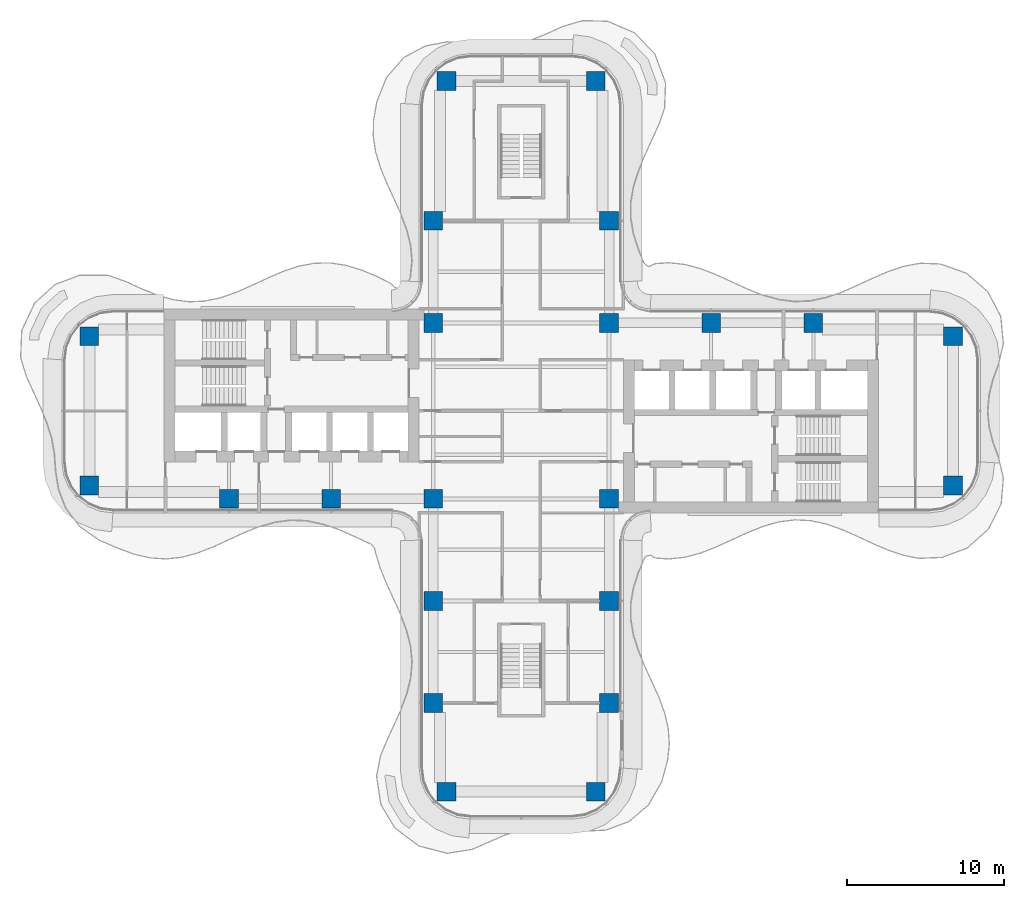
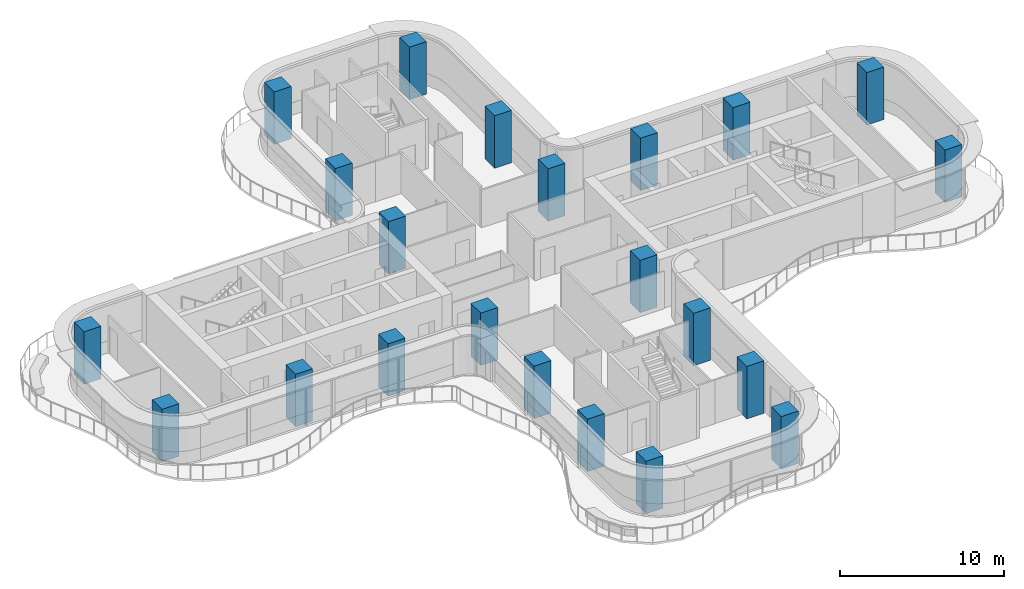
# One storey, part 1 of 18: 22 columns.
"""IFC4 building model written with IfcOpenShell, lengths in metres."""

from ifc_helpers import new_model, si_unit, direction, frame, origin, origin_2d, place, context, subcontext, project, spatial, rectangle, extrude, source, transform, mapped, material, material_profile, profile_set, type_object, element, save


model = new_model("IFC4")

# Units and contexts
model_context = context("Model", 3, precision=1e-05, world=origin(), true_north=direction((0.0, 1.0)))
body_context = subcontext(model_context, "Body", "Model", "MODEL_VIEW")
ifc_project = project(units=[si_unit("LENGTHUNIT", "METRE"), si_unit("AREAUNIT", "SQUARE_METRE"), si_unit("VOLUMEUNIT", "CUBIC_METRE"), si_unit("PLANEANGLEUNIT", "RADIAN"), si_unit("MASSUNIT", "GRAM", prefix="KILO")], contexts=[model_context])

# Site, building, storey
site_placement = place(None, origin())
site = spatial("IfcSite", under=ifc_project, at=site_placement, CompositionType="ELEMENT")
building_placement = place(site_placement, origin())
building = spatial("IfcBuilding", under=site, at=building_placement, Name="Trellis Farm Tower", CompositionType="ELEMENT")
storey_placement = place(building_placement, frame((0.0, 0.0, 201.0)))
storey = spatial("IfcBuildingStorey", under=building, at=storey_placement, Name="L44", CompositionType="ELEMENT", Elevation=201.0)

# Columns
ifc_material = material(Name="Concrete C70/85", Category="concrete")
ifc_material_profile = material_profile(ifc_material, rectangle(XDim=1.199951171875, YDim=1.199951171875, at=origin_2d()), Name="RC column 1200x1200 C70/85")
ifc_profile_set = profile_set([ifc_material_profile], Name="Concrete C70/85")
column_type = type_object("IfcColumnType", Name="RC column 1200x1200 C70/85", PredefinedType="COLUMN", material=ifc_profile_set)
shared_shape = source(origin(), body_context, "Body", "SweptSolid", [
    extrude(rectangle(XDim=1.199951171875, YDim=1.199951171875, at=origin_2d()), origin(), (0.0, 0.0, 1.0), 3.89990234375),
])
for number, where, z_axis, x_axis, name in (
    (1, (12.10009765625, 5.60009765625, 0.0), (0.0, 0.0, 1.0), (1.0, 0.0, 0.0), "Column"),
    (2, (18.60009765625, 5.60009765625, 0.0), (0.0, 0.0, 1.0), (1.0, 0.0, 0.0), "Column"),
    (3, (27.5, 4.75, 0.0), (0.0, 0.0, 1.0), (1.0, 0.0, 0.0), "Column"),
    (4, (27.5, -4.75, 0.0), (0.0, 0.0, 1.0), (1.0, 0.0, 0.0), "Column"),
    (5, (-5.60009765625, 12.10009765625, 0.0), (0.0, 0.0, 1.0), (1.0, 0.0, 0.0), "Column"),
    (6, (-4.75, 21.0, 0.0), (0.0, 0.0, 1.0), (1.0, 0.0, 0.0), "Column"),
    (7, (5.60009765625, 12.10009765625, 0.0), (0.0, 0.0, 1.0), (1.0, 0.0, 0.0), "Column"),
    (8, (4.75, 21.0, 0.0), (0.0, 0.0, 1.0), (1.0, 0.0, 0.0), "Column"),
    (9, (5.60009765625, 5.60009765625, 0.0), (0.0, 0.0, 1.0), (1.0, 0.0, 0.0), "Column"),
    (10, (-5.60009765625, 5.60009765625, 0.0), (0.0, 0.0, 1.0), (1.0, 0.0, 0.0), "Column"),
    (11, (5.60009765625, -5.60009765625, 0.0), (0.0, 0.0, 1.0), (1.0, 0.0, 0.0), "Column"),
    (12, (-5.60009765625, -5.60009765625, 0.0), (0.0, 0.0, 1.0), (1.0, 0.0, 0.0), "Column"),
    (13, (5.60009765625, -12.10009765625, 0.0), (0.0, 0.0, 1.0), (1.0, 0.0, 0.0), "Column"),
    (14, (5.60009765625, -18.60009765625, 0.0), (0.0, 0.0, 1.0), (1.0, 0.0, 0.0), "Column"),
    (15, (4.75, -24.25, 0.0), (0.0, 0.0, 1.0), (1.0, 0.0, 0.0), "Column"),
    (16, (-5.60009765625, -12.10009765625, 0.0), (0.0, 0.0, 1.0), (1.0, 0.0, 0.0), "Column"),
    (17, (-5.60009765625, -18.60009765625, 0.0), (0.0, 0.0, 1.0), (1.0, 0.0, 0.0), "Column"),
    (18, (-4.75, -24.25, 0.0), (0.0, 0.0, 1.0), (1.0, 0.0, 0.0), "Column"),
    (19, (-12.10009765625, -5.60009765625, 0.0), (0.0, 0.0, 1.0), (1.0, 0.0, 0.0), "Column"),
    (20, (-18.60009765625, -5.60009765625, 0.0), (0.0, 0.0, 1.0), (1.0, 0.0, 0.0), "Column"),
    (21, (-27.5, -4.75, 0.0), (0.0, 0.0, 1.0), (1.0, 0.0, 0.0), "Column"),
    (22, (-27.5, 4.75, 0.0), (0.0, 0.0, 1.0), (1.0, 0.0, 0.0), "Column"),
):
    element("IfcColumn", number, at=place(storey_placement, frame(where, z_axis=z_axis, x_axis=x_axis)), inside=storey, type_object=column_type, Name=name, PredefinedType="COLUMN", context=body_context, shape_type="MappedRepresentation", body=[
        mapped(shared_shape, transform((0.0, 0.0, 0.0))),
    ])

save(model, "model.ifc")
